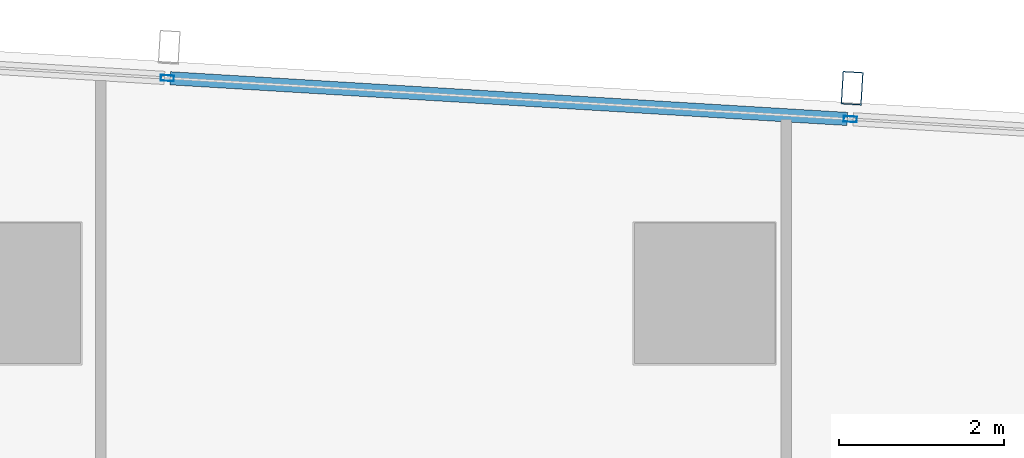
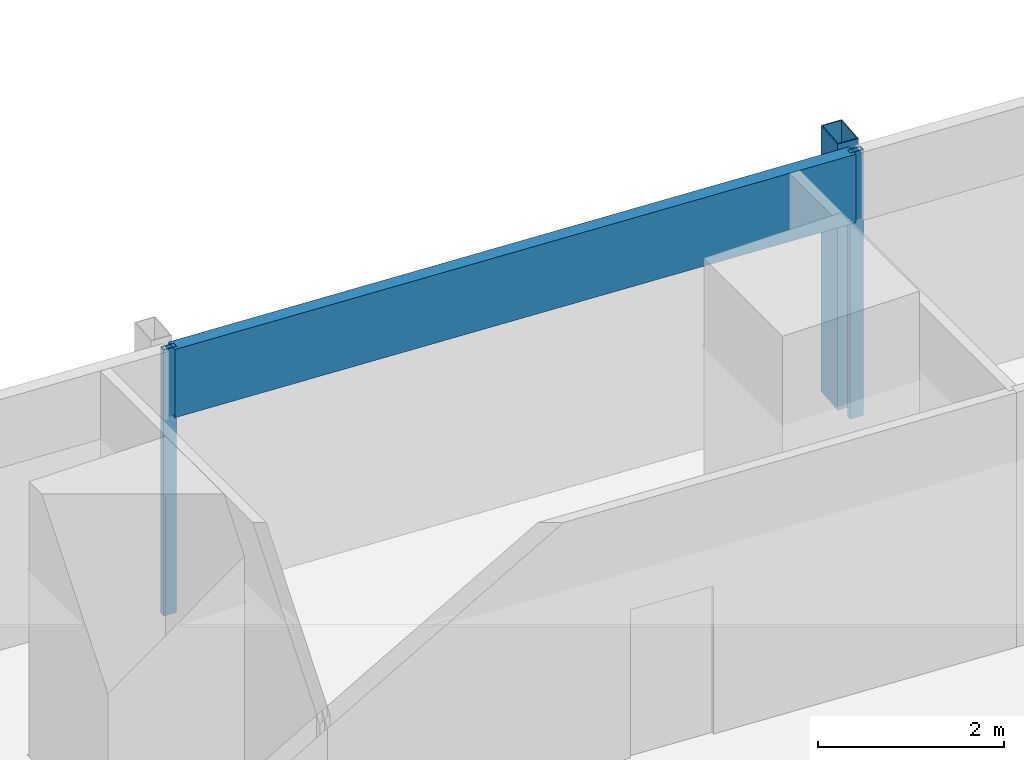
# One storey, part 19 of 40: 4 members, 1 element without a shape of its own.
"""IFC4 building model written with IfcOpenShell, lengths in metres."""

from ifc_helpers import new_model, si_unit, direction, frame, origin, origin_2d, place, context, subcontext, project, spatial, hollow_rectangle, extrude, material, material_profile, profile_set, type_object, element, aggregate, save


model = new_model("IFC4")

# Units and contexts
model_context = context("Model", 3, precision=1e-05, world=origin(), true_north=direction((0.0, 1.0)))
body_context = subcontext(model_context, "Body", "Model", "MODEL_VIEW")
ifc_project = project(units=[si_unit("LENGTHUNIT", "METRE"), si_unit("AREAUNIT", "SQUARE_METRE"), si_unit("VOLUMEUNIT", "CUBIC_METRE"), si_unit("PLANEANGLEUNIT", "RADIAN"), si_unit("MASSUNIT", "GRAM", prefix="KILO")], contexts=[model_context])

# Site, building, storey
site_placement = place(None, origin())
site = spatial("IfcSite", under=ifc_project, at=site_placement, CompositionType="ELEMENT")
building_placement = place(site_placement, origin())
building = spatial("IfcBuilding", under=site, at=building_placement, Name="Rekha Terrace Tower", CompositionType="ELEMENT")
storey_placement = place(building_placement, frame((0.0, 0.0, 117.800048828125)))
storey = spatial("IfcBuildingStorey", under=building, at=storey_placement, Name="L29", CompositionType="ELEMENT", Elevation=117.800048828125)

# Curtain wall, members
ifc_material_1 = material(Name="Aluminium framing", Category="aluminium")
curtain_wall_type = type_object("IfcCurtainWallType", Name="CW3 north unitised glazing", PredefinedType="USERDEFINED", material=ifc_material_1)
curtain_wall_placement = place(storey_placement, origin())
curtain_wall = element("IfcCurtainWall", 1, at=curtain_wall_placement, inside=storey, type_object=curtain_wall_type, Name="CW3 unitised curtain wall", ObjectType="UNITISED CURTAIN WALL", PredefinedType="USERDEFINED")
ifc_material_2 = material(Name="Steel S355 with fluorocarbon finish", Category="steel")
ifc_material_profile_1 = material_profile(ifc_material_2, hollow_rectangle(XDim=0.25, YDim=0.39990234375, WallThickness=0.012451171875, at=origin_2d()), Name="RHS400x250x12.5")
ifc_profile_set_1 = profile_set([ifc_material_profile_1], Name="Steel S355 with fluorocarbon finish")
member_type_1 = type_object("IfcMemberType", Name="BL1 facade blade RHS 400 x 250", PredefinedType="USERDEFINED", material=ifc_profile_set_1)
member_1_placement = place(storey_placement, frame((60.583740234375, 61.281005859375, 0.0), z_axis=(0.0, 0.0, 1.0), x_axis=(-0.998199123409, 0.059987582268, 0.0)))
member_1 = element("IfcMember", 2, at=member_1_placement, type_object=member_type_1, Name="Facade blade", ObjectType="FACADE BLADE", PredefinedType="USERDEFINED", context=body_context, shape_type="SweptSolid", body=[
    extrude(hollow_rectangle(XDim=0.25, YDim=0.39990234375, WallThickness=0.012451171875, at=origin_2d()), origin(), (0.0, 0.0, 1.0), 3.5),
])
ifc_material_3 = material(Name="Aluminium mullion section", Category="aluminium")
ifc_material_profile_2 = material_profile(ifc_material_3, hollow_rectangle(XDim=0.070068359375, YDim=0.159912109375, WallThickness=0.00390625, at=origin_2d()), Name="AL RHS 70x160")
ifc_profile_set_2 = profile_set([ifc_material_profile_2], Name="Aluminium mullion section")
member_type_2 = type_object("IfcMemberType", Name="CW3 mullion RHS 70 x 160", PredefinedType="MULLION", material=ifc_profile_set_2)
member_2_placement = place(storey_placement, frame((60.561279296875, 60.90673828125, 0.0), z_axis=(0.0, 0.0, 1.0), x_axis=(-0.059987926837, -0.998199102701, 0.0)))
member_2 = element("IfcMember", 3, at=member_2_placement, type_object=member_type_2, Name="CW3 mullion 2", PredefinedType="MULLION", context=body_context, shape_type="SweptSolid", body=[
    extrude(hollow_rectangle(XDim=0.070068359375, YDim=0.159912109375, WallThickness=0.00390625, at=origin_2d()), origin(), (0.0, 0.0, 1.0), 3.5),
])
member_3_placement = place(storey_placement, frame((52.299560546875, 61.4033203125, 0.0), z_axis=(0.0, 0.0, 1.0), x_axis=(-0.059987926837, -0.998199102701, 0.0)))
member_3 = element("IfcMember", 4, at=member_3_placement, type_object=member_type_2, Name="CW3 mullion 3", PredefinedType="MULLION", context=body_context, shape_type="SweptSolid", body=[
    extrude(hollow_rectangle(XDim=0.070068359375, YDim=0.159912109375, WallThickness=0.00390625, at=origin_2d()), origin(), (0.0, 0.0, 1.0), 3.5),
])
ifc_material_4 = material(Name="Insulated aluminium spandrel box", Category="aluminium")
ifc_material_profile_3 = material_profile(ifc_material_4, hollow_rectangle(XDim=0.159912109375, YDim=0.89990234375, WallThickness=0.0029296875, at=origin_2d()), Name="AL SPANDREL BOX 160x900")
ifc_profile_set_3 = profile_set([ifc_material_profile_3], Name="Insulated aluminium spandrel box")
member_type_3 = type_object("IfcMemberType", Name="CW3 spandrel transom 160 x 900", PredefinedType="USERDEFINED", material=ifc_profile_set_3)
member_4_placement = place(storey_placement, frame((60.5263671875, 60.908935546875, 3.050048828125), z_axis=(-0.998199826332, 0.059975884418, 0.0), x_axis=(-0.059975884418, -0.998199826332, 0.0)))
member_4 = element("IfcMember", 5, at=member_4_placement, type_object=member_type_3, Name="CW3 spandrel transom 2", ObjectType="TRANSOM", PredefinedType="USERDEFINED", context=body_context, shape_type="SweptSolid", body=[
    extrude(hollow_rectangle(XDim=0.159912109375, YDim=0.89990234375, WallThickness=0.0029296875, at=origin_2d()), origin(), (0.0, 0.0, 1.0), 8.20654296875),
])
aggregate(curtain_wall, [member_2, member_3, member_4, member_1])

save(model, "model.ifc")
